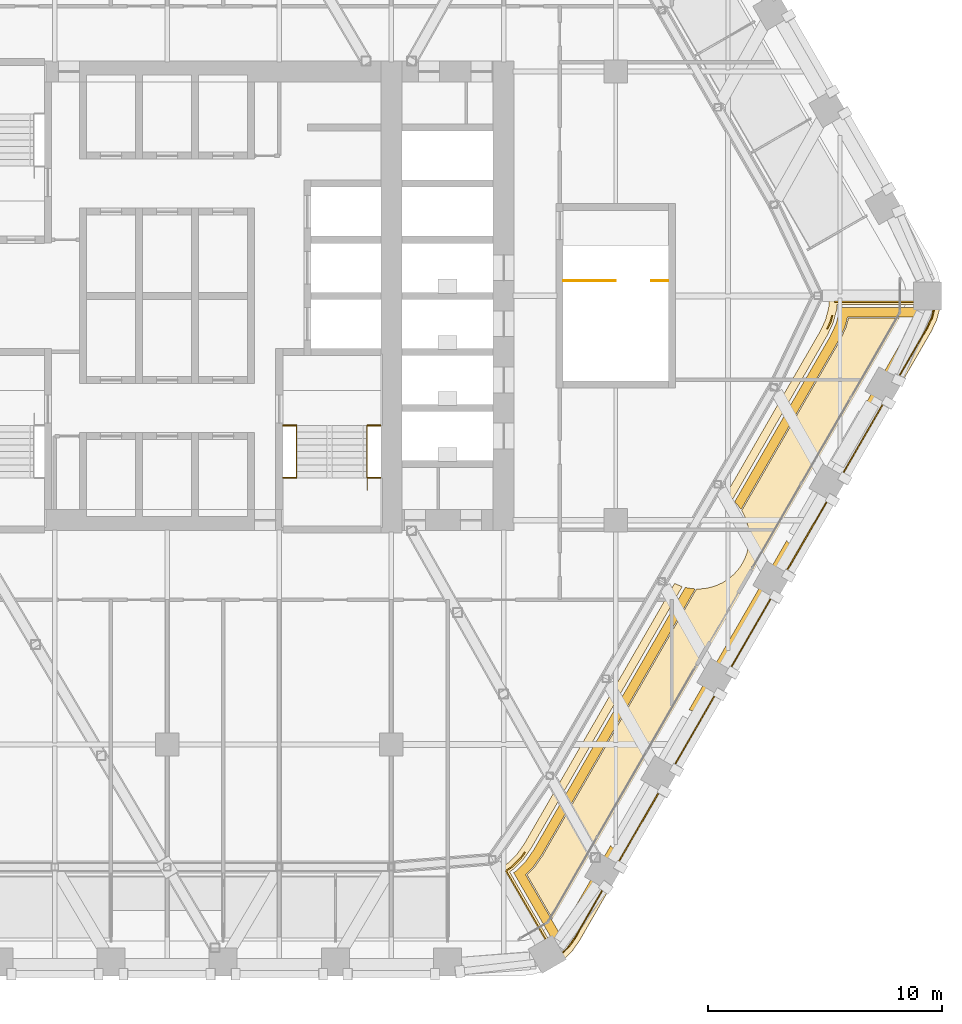
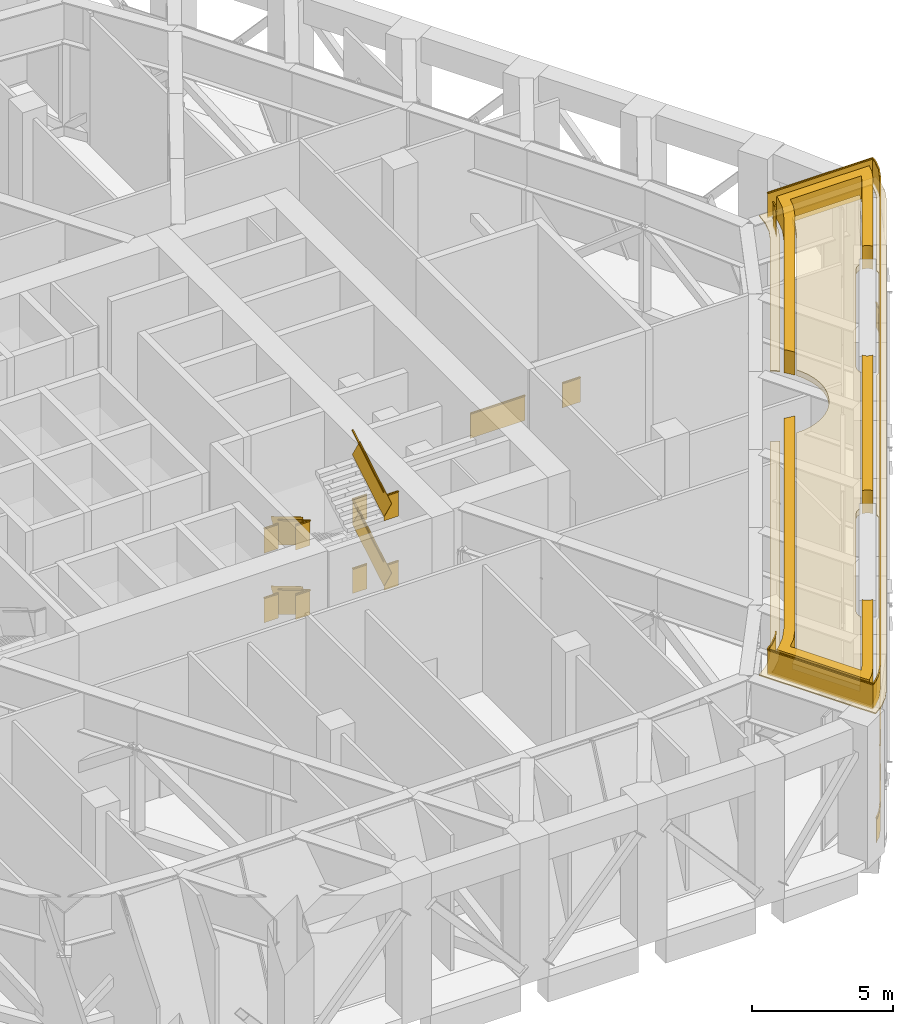
# One storey, part 26 of 27: 5 coverings, 5 railings.
"""IFC4 building model written with IfcOpenShell, lengths in metres."""

from ifc_helpers import new_model, si_unit, direction, frame, frame_2d, origin, origin_2d, place, context, subcontext, project, spatial, polyline, rectangle, outline, extrude, material, layer, layer_set, type_object, element, save


model = new_model("IFC4")

# Units and contexts
model_context = context("Model", 3, precision=1e-05, world=origin(), true_north=direction((0.0, 1.0)))
body_context = subcontext(model_context, "Body", "Model", "MODEL_VIEW")
ifc_project = project(units=[si_unit("LENGTHUNIT", "METRE"), si_unit("AREAUNIT", "SQUARE_METRE"), si_unit("VOLUMEUNIT", "CUBIC_METRE"), si_unit("PLANEANGLEUNIT", "RADIAN"), si_unit("MASSUNIT", "GRAM", prefix="KILO")], contexts=[model_context])

# Site, building, storey
site_placement = place(None, origin())
site = spatial("IfcSite", under=ifc_project, at=site_placement, CompositionType="ELEMENT")
building_placement = place(site_placement, origin())
building = spatial("IfcBuilding", under=site, at=building_placement, Name="Kolab Exchange Tower", CompositionType="ELEMENT")
storey_placement = place(building_placement, frame((0.0, 0.0, 127.39990234375)))
storey = spatial("IfcBuildingStorey", under=building, at=storey_placement, Name="L25", CompositionType="ELEMENT", Elevation=127.39990234375)

# Railings
ifc_material_1 = material(Name="Stainless steel 316", Category="steel")
railing_type_1 = type_object("IfcRailingType", Name="GUARD 1100", PredefinedType="GUARDRAIL", material=ifc_material_1)
railing_1_placement = place(storey_placement, frame((4.949951171875, -5.550048828125, 0.0)))
element("IfcRailing", 1, at=railing_1_placement, inside=storey, type_object=railing_type_1, Name="Guard ST2", PredefinedType="GUARDRAIL", context=body_context, shape_type="SweptSolid", body=[
    extrude(rectangle(XDim=0.05, YDim=0.05, at=origin_2d()), frame((0.0, 0.0, 1.0751953125), z_axis=(1.0, 0.0, 0.0), x_axis=(0.0, 1.0, 0.0)), (0.0, 0.0, 1.0), 0.590087890625),
    extrude(rectangle(XDim=0.012, YDim=1.05009765625, at=frame_2d((0.0, 0.525146484375))), frame((0.0, 0.0, 0.0), z_axis=(1.0, 0.0, 0.0), x_axis=(0.0, 1.0, 0.0)), (0.0, 0.0, 1.0), 0.590087890625),
    extrude(rectangle(XDim=0.05, YDim=0.05, at=origin_2d()), frame((3.610107421875, 0.0, 1.0751953125), z_axis=(1.0, 0.0, 0.0), x_axis=(0.0, 1.0, 0.0)), (0.0, 0.0, 1.0), 0.58984375),
    extrude(rectangle(XDim=0.012, YDim=1.05009765625, at=frame_2d((0.0, 0.525146484375))), frame((3.610107421875, 0.0, 0.0), z_axis=(1.0, 0.0, 0.0), x_axis=(0.0, 1.0, 0.0)), (0.0, 0.0, 1.0), 0.58984375),
    extrude(rectangle(XDim=0.05, YDim=0.05, at=origin_2d()), frame((0.0, -2.239990234375, 2.5751953125), z_axis=(1.0, 0.0, 0.0), x_axis=(0.0, 1.0, 0.0)), (0.0, 0.0, 1.0), 0.590087890625),
    extrude(rectangle(XDim=0.012, YDim=1.05009765625, at=frame_2d((0.0, 0.525146484375))), frame((0.0, -2.239990234375, 1.5), z_axis=(1.0, 0.0, 0.0), x_axis=(0.0, 1.0, 0.0)), (0.0, 0.0, 1.0), 0.590087890625),
    extrude(rectangle(XDim=0.05, YDim=0.05, at=origin_2d()), frame((3.610107421875, -2.239990234375, 2.5751953125), z_axis=(1.0, 0.0, 0.0), x_axis=(0.0, 1.0, 0.0)), (0.0, 0.0, 1.0), 0.58984375),
    extrude(rectangle(XDim=0.012, YDim=1.05009765625, at=frame_2d((0.0, 0.525146484375))), frame((3.610107421875, -2.239990234375, 1.5), z_axis=(1.0, 0.0, 0.0), x_axis=(0.0, 1.0, 0.0)), (0.0, 0.0, 1.0), 0.58984375),
    extrude(rectangle(XDim=0.05, YDim=0.05, at=origin_2d()), frame((0.0, 0.0, 4.0751953125), z_axis=(1.0, 0.0, 0.0), x_axis=(0.0, 1.0, 0.0)), (0.0, 0.0, 1.0), 0.590087890625),
    extrude(rectangle(XDim=0.012, YDim=1.05009765625, at=frame_2d((0.0, 0.525146484375))), frame((0.0, 0.0, 3.0), z_axis=(1.0, 0.0, 0.0), x_axis=(0.0, 1.0, 0.0)), (0.0, 0.0, 1.0), 0.590087890625),
    extrude(rectangle(XDim=0.05, YDim=0.05, at=origin_2d()), frame((3.610107421875, 0.0, 4.0751953125), z_axis=(1.0, 0.0, 0.0), x_axis=(0.0, 1.0, 0.0)), (0.0, 0.0, 1.0), 0.58984375),
    extrude(rectangle(XDim=0.012, YDim=1.05009765625, at=frame_2d((0.0, 0.525146484375))), frame((3.610107421875, 0.0, 3.0), z_axis=(1.0, 0.0, 0.0), x_axis=(0.0, 1.0, 0.0)), (0.0, 0.0, 1.0), 0.58984375),
    extrude(rectangle(XDim=0.05, YDim=0.05, at=origin_2d()), frame((0.0, -2.239990234375, 5.5751953125), z_axis=(1.0, 0.0, 0.0), x_axis=(0.0, 1.0, 0.0)), (0.0, 0.0, 1.0), 0.590087890625),
    extrude(rectangle(XDim=0.012, YDim=1.05009765625, at=frame_2d((0.0, 0.525146484375))), frame((0.0, -2.239990234375, 4.5), z_axis=(1.0, 0.0, 0.0), x_axis=(0.0, 1.0, 0.0)), (0.0, 0.0, 1.0), 0.590087890625),
    extrude(rectangle(XDim=0.05, YDim=0.05, at=origin_2d()), frame((3.610107421875, -2.239990234375, 5.5751953125), z_axis=(1.0, 0.0, 0.0), x_axis=(0.0, 1.0, 0.0)), (0.0, 0.0, 1.0), 0.58984375),
    extrude(rectangle(XDim=0.012, YDim=1.05009765625, at=frame_2d((0.0, 0.525146484375))), frame((3.610107421875, -2.239990234375, 4.5), z_axis=(1.0, 0.0, 0.0), x_axis=(0.0, 1.0, 0.0)), (0.0, 0.0, 1.0), 0.58984375),
])
railing_2_placement = place(storey_placement, frame((5.5400390625, -5.550048828125, 0.166748046875)))
element("IfcRailing", 2, at=railing_2_placement, inside=storey, type_object=railing_type_1, Name="Handrail guard ST2", PredefinedType="GUARDRAIL", context=body_context, shape_type="SweptSolid", body=[
    extrude(rectangle(XDim=0.05, YDim=0.05, at=origin_2d()), frame((0.0, 0.0, 1.0751953125), z_axis=(0.0, -0.859305625298, 0.511462454469), x_axis=(1.0, 0.0, 0.0)), (0.0, 0.0, 1.0), 2.606689453125),
    extrude(rectangle(XDim=0.012, YDim=1.05009765625, at=frame_2d((0.0, 0.525146484375))), frame((0.0, 0.0, 0.0), z_axis=(0.0, -0.859305625298, 0.511462454469), x_axis=(1.0, 0.0, 0.0)), (0.0, 0.0, 1.0), 2.606689453125),
    extrude(rectangle(XDim=0.05, YDim=0.05, at=origin_2d()), frame((3.02001953125, -2.239990234375, 2.5751953125), z_axis=(0.0, 0.859305625298, 0.511462454469), x_axis=(-1.0, 0.0, 0.0)), (0.0, 0.0, 1.0), 2.606689453125),
    extrude(rectangle(XDim=0.012, YDim=1.05009765625, at=frame_2d((0.0, 0.525146484375))), frame((3.02001953125, -2.239990234375, 1.5), z_axis=(0.0, 0.859305625298, 0.511462454469), x_axis=(-1.0, 0.0, 0.0)), (0.0, 0.0, 1.0), 2.606689453125),
    extrude(rectangle(XDim=0.05, YDim=0.05, at=origin_2d()), frame((0.0, 0.0, 4.0751953125), z_axis=(0.0, -0.859305625298, 0.511462454469), x_axis=(1.0, 0.0, 0.0)), (0.0, 0.0, 1.0), 2.606689453125),
    extrude(rectangle(XDim=0.012, YDim=1.05009765625, at=frame_2d((0.0, 0.525146484375))), frame((0.0, 0.0, 3.0), z_axis=(0.0, -0.859305625298, 0.511462454469), x_axis=(1.0, 0.0, 0.0)), (0.0, 0.0, 1.0), 2.606689453125),
    extrude(rectangle(XDim=0.05, YDim=0.05, at=origin_2d()), frame((3.02001953125, -2.239990234375, 5.5751953125), z_axis=(0.0, 0.859305625298, 0.511462454469), x_axis=(-1.0, 0.0, 0.0)), (0.0, 0.0, 1.0), 2.606689453125),
    extrude(rectangle(XDim=0.012, YDim=1.05009765625, at=frame_2d((0.0, 0.525146484375))), frame((3.02001953125, -2.239990234375, 4.5), z_axis=(0.0, 0.859305625298, 0.511462454469), x_axis=(-1.0, 0.0, 0.0)), (0.0, 0.0, 1.0), 2.606689453125),
])
railing_3_placement = place(storey_placement, frame((16.949951171875, 0.64990234375, 0.0)))
element("IfcRailing", 3, at=railing_3_placement, inside=storey, type_object=railing_type_1, Name="Guard ST4", PredefinedType="GUARDRAIL", context=body_context, shape_type="SweptSolid", body=[
    extrude(rectangle(XDim=0.05, YDim=0.05, at=origin_2d()), frame((0.0, 0.0, 1.0751953125), z_axis=(1.0, 0.0, 0.0), x_axis=(0.0, 1.0, 0.0)), (0.0, 0.0, 1.0), 2.239990234375),
    extrude(rectangle(XDim=0.012, YDim=1.05009765625, at=frame_2d((0.0, 0.525146484375))), frame((0.0, 0.0, 0.0), z_axis=(1.0, 0.0, 0.0), x_axis=(0.0, 1.0, 0.0)), (0.0, 0.0, 1.0), 2.239990234375),
    extrude(rectangle(XDim=0.05, YDim=0.05, at=origin_2d()), frame((3.760009765625, 0.0, 1.0751953125), z_axis=(1.0, 0.0, 0.0), x_axis=(0.0, 1.0, 0.0)), (0.0, 0.0, 1.0), 0.739990234375),
    extrude(rectangle(XDim=0.012, YDim=1.05009765625, at=frame_2d((0.0, 0.525146484375))), frame((3.760009765625, 0.0, 0.0), z_axis=(1.0, 0.0, 0.0), x_axis=(0.0, 1.0, 0.0)), (0.0, 0.0, 1.0), 0.739990234375),
])
ifc_material_2 = material(Name="Steel S235", Category="steel")
railing_type_2 = type_object("IfcRailingType", Name="GUARD 1100 GLASS BALUSTRADE AND STEEL TOP RAIL", PredefinedType="GUARDRAIL", material=ifc_material_2)
railing_4_placement = place(storey_placement, frame((16.9208984375, -28.119873046875, 0.0)))
element("IfcRailing", 4, at=railing_4_placement, inside=storey, type_object=railing_type_2, Name="Guard", PredefinedType="GUARDRAIL", context=body_context, shape_type="SweptSolid", body=[
    extrude(rectangle(XDim=0.05, YDim=0.05, at=origin_2d()), frame((0.0, 0.0, 1.0751953125), z_axis=(0.707106781187, 0.707106781187, 0.0), x_axis=(-0.707106781187, 0.707106781187, 0.0)), (0.0, 0.0, 1.0), 0.358642578125),
    extrude(rectangle(XDim=0.012, YDim=1.05009765625, at=frame_2d((0.0, 0.525146484375))), frame((0.0, 0.0, 0.0), z_axis=(0.707106781187, 0.707106781187, 0.0), x_axis=(-0.707106781187, 0.707106781187, 0.0)), (0.0, 0.0, 1.0), 0.358642578125),
    extrude(rectangle(XDim=0.05, YDim=0.05, at=origin_2d()), frame((0.253662109375, 0.253662109375, 1.0751953125), z_axis=(0.573359816273, 0.819303680624, 0.0), x_axis=(-0.819303680624, 0.573359816273, 0.0)), (0.0, 0.0, 1.0), 0.4794921875),
    extrude(rectangle(XDim=0.012, YDim=1.05009765625, at=frame_2d((0.0, 0.525146484375))), frame((0.253662109375, 0.253662109375, 0.0), z_axis=(0.573359816273, 0.819303680624, 0.0), x_axis=(-0.819303680624, 0.573359816273, 0.0)), (0.0, 0.0, 1.0), 0.4794921875),
    extrude(rectangle(XDim=0.05, YDim=0.05, at=origin_2d()), frame((0.528564453125, 0.646484375, 1.0751953125), z_axis=(0.500064973171, 0.865987888257, 0.0), x_axis=(-0.865987888257, 0.500064973171, 0.0)), (0.0, 0.0, 1.0), 2.468017578125),
    extrude(rectangle(XDim=0.012, YDim=1.05009765625, at=frame_2d((0.0, 0.525146484375))), frame((0.528564453125, 0.646484375, 0.0), z_axis=(0.500064973171, 0.865987888257, 0.0), x_axis=(-0.865987888257, 0.500064973171, 0.0)), (0.0, 0.0, 1.0), 2.468017578125),
    extrude(rectangle(XDim=0.05, YDim=0.05, at=origin_2d()), frame((2.362548828125, 3.822998046875, 1.0751953125), z_axis=(0.500012057535, 0.866018442252, 0.0), x_axis=(-0.866018442252, 0.500012057535, 0.0)), (0.0, 0.0, 1.0), 3.60009765625),
    extrude(rectangle(XDim=0.012, YDim=1.05009765625, at=frame_2d((0.0, 0.525146484375))), frame((2.362548828125, 3.822998046875, 0.0), z_axis=(0.500012057535, 0.866018442252, 0.0), x_axis=(-0.866018442252, 0.500012057535, 0.0)), (0.0, 0.0, 1.0), 3.60009765625),
    extrude(rectangle(XDim=0.05, YDim=0.05, at=origin_2d()), frame((4.7626953125, 7.97998046875, 1.0751953125), z_axis=(0.499961193289, 0.866047807691, 0.0), x_axis=(-0.866047807691, 0.499961193289, 0.0)), (0.0, 0.0, 1.0), 3.599853515625),
    extrude(rectangle(XDim=0.012, YDim=1.05009765625, at=frame_2d((0.0, 0.525146484375))), frame((4.7626953125, 7.97998046875, 0.0), z_axis=(0.499961193289, 0.866047807691, 0.0), x_axis=(-0.866047807691, 0.499961193289, 0.0)), (0.0, 0.0, 1.0), 3.599853515625),
    extrude(rectangle(XDim=0.05, YDim=0.05, at=origin_2d()), frame((7.16259765625, 12.13671875, 1.0751953125), z_axis=(0.500012057535, 0.866018442252, 0.0), x_axis=(-0.866018442252, 0.500012057535, 0.0)), (0.0, 0.0, 1.0), 3.60009765625),
    extrude(rectangle(XDim=0.012, YDim=1.05009765625, at=frame_2d((0.0, 0.525146484375))), frame((7.16259765625, 12.13671875, 0.0), z_axis=(0.500012057535, 0.866018442252, 0.0), x_axis=(-0.866018442252, 0.500012057535, 0.0)), (0.0, 0.0, 1.0), 3.60009765625),
    extrude(rectangle(XDim=0.05, YDim=0.05, at=origin_2d()), frame((9.5625, 16.293701171875, 1.0751953125), z_axis=(0.500012057535, 0.866018442252, 0.0), x_axis=(-0.866018442252, 0.500012057535, 0.0)), (0.0, 0.0, 1.0), 3.60009765625),
    extrude(rectangle(XDim=0.012, YDim=1.05009765625, at=frame_2d((0.0, 0.525146484375))), frame((9.5625, 16.293701171875, 0.0), z_axis=(0.500012057535, 0.866018442252, 0.0), x_axis=(-0.866018442252, 0.500012057535, 0.0)), (0.0, 0.0, 1.0), 3.60009765625),
    extrude(rectangle(XDim=0.05, YDim=0.05, at=origin_2d()), frame((11.962646484375, 20.45068359375, 1.0751953125), z_axis=(0.500012057535, 0.866018442252, 0.0), x_axis=(-0.866018442252, 0.500012057535, 0.0)), (0.0, 0.0, 1.0), 3.60009765625),
    extrude(rectangle(XDim=0.012, YDim=1.05009765625, at=frame_2d((0.0, 0.525146484375))), frame((11.962646484375, 20.45068359375, 0.0), z_axis=(0.500012057535, 0.866018442252, 0.0), x_axis=(-0.866018442252, 0.500012057535, 0.0)), (0.0, 0.0, 1.0), 3.60009765625),
    extrude(rectangle(XDim=0.05, YDim=0.05, at=origin_2d()), frame((14.362548828125, 24.607666015625, 1.0751953125), z_axis=(0.500064973171, 0.865987888257, 0.0), x_axis=(-0.865987888257, 0.500064973171, 0.0)), (0.0, 0.0, 1.0), 2.468017578125),
    extrude(rectangle(XDim=0.012, YDim=1.05009765625, at=frame_2d((0.0, 0.525146484375))), frame((14.362548828125, 24.607666015625, 0.0), z_axis=(0.500064973171, 0.865987888257, 0.0), x_axis=(-0.865987888257, 0.500064973171, 0.0)), (0.0, 0.0, 1.0), 2.468017578125),
    extrude(rectangle(XDim=0.05, YDim=0.05, at=origin_2d()), frame((15.5966796875, 26.744873046875, 1.0751953125), z_axis=(0.422383329074, 0.906417300872, 0.0), x_axis=(-0.906417300872, 0.422383329074, 0.0)), (0.0, 0.0, 1.0), 0.479248046875),
    extrude(rectangle(XDim=0.012, YDim=1.05009765625, at=frame_2d((0.0, 0.525146484375))), frame((15.5966796875, 26.744873046875, 0.0), z_axis=(0.422383329074, 0.906417300872, 0.0), x_axis=(-0.906417300872, 0.422383329074, 0.0)), (0.0, 0.0, 1.0), 0.479248046875),
    extrude(rectangle(XDim=0.05, YDim=0.05, at=origin_2d()), frame((15.799072265625, 27.17919921875, 1.0751953125), z_axis=(0.259144041577, 0.965838685141, 0.0), x_axis=(-0.965838685141, 0.259144041577, 0.0)), (0.0, 0.0, 1.0), 0.35888671875),
    extrude(rectangle(XDim=0.012, YDim=1.05009765625, at=frame_2d((0.0, 0.525146484375))), frame((15.799072265625, 27.17919921875, 0.0), z_axis=(0.259144041577, 0.965838685141, 0.0), x_axis=(-0.965838685141, 0.259144041577, 0.0)), (0.0, 0.0, 1.0), 0.35888671875),
])
railing_5_placement = place(storey_placement, frame((17.455078125, -27.464111328125, 6.0)))
element("IfcRailing", 5, at=railing_5_placement, inside=storey, type_object=railing_type_2, Name="Ledge guard", PredefinedType="GUARDRAIL", context=body_context, shape_type="SweptSolid", body=[
    extrude(rectangle(XDim=0.05, YDim=0.05, at=origin_2d()), frame((10.792724609375, 26.045654296875, 1.0751953125), z_axis=(0.422806465979, 0.906220002166, 0.0), x_axis=(-0.906220002166, 0.422806465979, 0.0)), (0.0, 0.0, 1.0), 0.33837890625),
    extrude(rectangle(XDim=0.012, YDim=1.05009765625, at=frame_2d((0.0, 0.525146484375))), frame((10.792724609375, 26.045654296875, 0.0), z_axis=(0.422806465979, 0.906220002166, 0.0), x_axis=(-0.906220002166, 0.422806465979, 0.0)), (0.0, 0.0, 1.0), 0.33837890625),
    extrude(rectangle(XDim=0.05, YDim=0.05, at=origin_2d()), frame((10.935791015625, 26.352294921875, 1.0751953125), z_axis=(0.258577580787, 0.965990494112, 0.0), x_axis=(-0.965990494112, 0.258577580787, 0.0)), (0.0, 0.0, 1.0), 0.2822265625),
    extrude(rectangle(XDim=0.012, YDim=1.05009765625, at=frame_2d((0.0, 0.525146484375))), frame((10.935791015625, 26.352294921875, 0.0), z_axis=(0.258577580787, 0.965990494112, 0.0), x_axis=(-0.965990494112, 0.258577580787, 0.0)), (0.0, 0.0, 1.0), 0.2822265625),
    extrude(rectangle(XDim=0.05, YDim=0.05, at=origin_2d()), frame((11.10986328125, 27.214111328125, 1.0751953125), z_axis=(1.0, 0.0, 0.0), x_axis=(0.0, 1.0, 0.0)), (0.0, 0.0, 1.0), 4.298095703125),
    extrude(rectangle(XDim=0.012, YDim=1.05009765625, at=frame_2d((0.0, 0.525146484375))), frame((11.10986328125, 27.214111328125, 0.0), z_axis=(1.0, 0.0, 0.0), x_axis=(0.0, 1.0, 0.0)), (0.0, 0.0, 1.0), 4.298095703125),
    extrude(rectangle(XDim=0.05, YDim=0.05, at=origin_2d()), frame((15.407958984375, 27.214111328125, 1.0751953125), z_axis=(-0.086675791965, -0.996236571848, 0.0), x_axis=(0.996236571848, -0.086675791965, 0.0)), (0.0, 0.0, 1.0), 0.228271484375),
    extrude(rectangle(XDim=0.012, YDim=1.05009765625, at=frame_2d((0.0, 0.525146484375))), frame((15.407958984375, 27.214111328125, 0.0), z_axis=(-0.086675791965, -0.996236571848, 0.0), x_axis=(0.996236571848, -0.086675791965, 0.0)), (0.0, 0.0, 1.0), 0.228271484375),
    extrude(rectangle(XDim=0.05, YDim=0.05, at=origin_2d()), frame((15.38818359375, 26.98681640625, 1.0751953125), z_axis=(-0.258803991931, -0.965929859648, 0.0), x_axis=(0.965929859648, -0.258803991931, 0.0)), (0.0, 0.0, 1.0), 0.479248046875),
    extrude(rectangle(XDim=0.012, YDim=1.05009765625, at=frame_2d((0.0, 0.525146484375))), frame((15.38818359375, 26.98681640625, 0.0), z_axis=(-0.258803991931, -0.965929859648, 0.0), x_axis=(0.965929859648, -0.258803991931, 0.0)), (0.0, 0.0, 1.0), 0.479248046875),
    extrude(rectangle(XDim=0.05, YDim=0.05, at=origin_2d()), frame((15.26416015625, 26.52392578125, 1.0751953125), z_axis=(-0.422749163714, -0.906246734934, 0.0), x_axis=(0.906246734934, -0.422749163714, 0.0)), (0.0, 0.0, 1.0), 0.490234375),
    extrude(rectangle(XDim=0.012, YDim=1.05009765625, at=frame_2d((0.0, 0.525146484375))), frame((15.26416015625, 26.52392578125, 0.0), z_axis=(-0.422749163714, -0.906246734934, 0.0), x_axis=(0.906246734934, -0.422749163714, 0.0)), (0.0, 0.0, 1.0), 0.490234375),
    extrude(rectangle(XDim=0.05, YDim=0.05, at=origin_2d()), frame((15.056884765625, 26.07958984375, 1.0751953125), z_axis=(-0.499995680138, -0.866027897844, 0.0), x_axis=(0.866027897844, -0.499995680138, 0.0)), (0.0, 0.0, 1.0), 30.114013671875),
    extrude(rectangle(XDim=0.012, YDim=1.05009765625, at=frame_2d((0.0, 0.525146484375))), frame((15.056884765625, 26.07958984375, 0.0), z_axis=(-0.499995680138, -0.866027897844, 0.0), x_axis=(0.866027897844, -0.499995680138, 0.0)), (0.0, 0.0, 1.0), 30.114013671875),
    extrude(rectangle(XDim=0.05, YDim=0.05, at=origin_2d()), frame((0.0, 0.0, 1.0751953125), z_axis=(-0.573863466501, -0.818950988653, 0.0), x_axis=(0.818950988653, -0.573863466501, 0.0)), (0.0, 0.0, 1.0), 0.489990234375),
    extrude(rectangle(XDim=0.012, YDim=1.05009765625, at=frame_2d((0.0, 0.525146484375))), frame((0.0, 0.0, 0.0), z_axis=(-0.573863466501, -0.818950988653, 0.0), x_axis=(0.818950988653, -0.573863466501, 0.0)), (0.0, 0.0, 1.0), 0.489990234375),
    extrude(rectangle(XDim=0.05, YDim=0.05, at=origin_2d()), frame((-0.28125, -0.4013671875, 1.0751953125), z_axis=(-0.707106781187, -0.707106781187, 0.0), x_axis=(0.707106781187, -0.707106781187, 0.0)), (0.0, 0.0, 1.0), 0.479248046875),
    extrude(rectangle(XDim=0.012, YDim=1.05009765625, at=frame_2d((0.0, 0.525146484375))), frame((-0.28125, -0.4013671875, 0.0), z_axis=(-0.707106781187, -0.707106781187, 0.0), x_axis=(0.707106781187, -0.707106781187, 0.0)), (0.0, 0.0, 1.0), 0.479248046875),
    extrude(rectangle(XDim=0.05, YDim=0.05, at=origin_2d()), frame((-0.6201171875, -0.740234375, 1.0751953125), z_axis=(-0.819332409574, -0.573318761791, 0.0), x_axis=(0.573318761791, -0.819332409574, 0.0)), (0.0, 0.0, 1.0), 0.228271484375),
    extrude(rectangle(XDim=0.012, YDim=1.05009765625, at=frame_2d((0.0, 0.525146484375))), frame((-0.6201171875, -0.740234375, 0.0), z_axis=(-0.819332409574, -0.573318761791, 0.0), x_axis=(0.573318761791, -0.819332409574, 0.0)), (0.0, 0.0, 1.0), 0.228271484375),
    extrude(rectangle(XDim=0.05, YDim=0.05, at=origin_2d()), frame((-0.80712890625, -0.87109375, 1.0751953125), z_axis=(-0.499987977232, 0.866032345022, 0.0), x_axis=(-0.866032345022, -0.499987977232, 0.0)), (0.0, 0.0, 1.0), 4.2978515625),
    extrude(rectangle(XDim=0.012, YDim=1.05009765625, at=frame_2d((0.0, 0.525146484375))), frame((-0.80712890625, -0.87109375, 0.0), z_axis=(-0.499987977232, 0.866032345022, 0.0), x_axis=(-0.866032345022, -0.499987977232, 0.0)), (0.0, 0.0, 1.0), 4.2978515625),
    extrude(rectangle(XDim=0.05, YDim=0.05, at=origin_2d()), frame((-2.9560546875, 2.85107421875, 1.0751953125), z_axis=(0.818977516842, 0.573825606702, 0.0), x_axis=(-0.573825606702, 0.818977516842, 0.0)), (0.0, 0.0, 1.0), 0.315673828125),
    extrude(rectangle(XDim=0.012, YDim=1.05009765625, at=frame_2d((0.0, 0.525146484375))), frame((-2.9560546875, 2.85107421875, 0.0), z_axis=(0.818977516842, 0.573825606702, 0.0), x_axis=(-0.573825606702, 0.818977516842, 0.0)), (0.0, 0.0, 1.0), 0.315673828125),
    extrude(rectangle(XDim=0.05, YDim=0.05, at=origin_2d()), frame((-2.697509765625, 3.0322265625, 1.0751953125), z_axis=(0.707322132711, 0.706891364056, 0.0), x_axis=(-0.706891364056, 0.707322132711, 0.0)), (0.0, 0.0, 1.0), 0.566650390625),
    extrude(rectangle(XDim=0.012, YDim=1.05009765625, at=frame_2d((0.0, 0.525146484375))), frame((-2.697509765625, 3.0322265625, 0.0), z_axis=(0.707322132711, 0.706891364056, 0.0), x_axis=(-0.706891364056, 0.707322132711, 0.0)), (0.0, 0.0, 1.0), 0.566650390625),
    extrude(rectangle(XDim=0.05, YDim=0.05, at=origin_2d()), frame((-2.296630859375, 3.432861328125, 1.0751953125), z_axis=(0.573161780515, 0.819442233081, 0.0), x_axis=(-0.819442233081, 0.573161780515, 0.0)), (0.0, 0.0, 1.0), 0.272705078125),
    extrude(rectangle(XDim=0.012, YDim=1.05009765625, at=frame_2d((0.0, 0.525146484375))), frame((-2.296630859375, 3.432861328125, 0.0), z_axis=(0.573161780515, 0.819442233081, 0.0), x_axis=(-0.819442233081, 0.573161780515, 0.0)), (0.0, 0.0, 1.0), 0.272705078125),
])

# Coverings
ifc_material_3 = material(Name="Planting soil and turf", Category="soil")
ifc_layer_1 = layer(ifc_material_3, 0.25)
ifc_layer_set_1 = layer_set([ifc_layer_1], Name="Planting soil and turf")
covering_type_1 = type_object("IfcCoveringType", Name="PLANTING SOIL AND TURF 250", PredefinedType="USERDEFINED", material=ifc_layer_set_1)
covering_1_placement = place(storey_placement, frame((0.0, 0.0, 6.0)))
element("IfcCovering", 6, at=covering_1_placement, inside=storey, type_object=covering_type_1, Name="Planting soil and turf", ObjectType="PLANTING", PredefinedType="USERDEFINED", context=body_context, shape_type="SweptSolid", body=[
    extrude(outline(polyline([(15.696533203125, -24.48291015625), (16.068115234375, -23.952392578125), (22.6572265625, -12.53955078125), (22.71337890625, -12.542236328125), (22.928955078125, -12.53173828125), (23.142578125, -12.5), (23.35205078125, -12.447509765625), (23.555419921875, -12.374755859375), (23.75048828125, -12.282470703125), (23.935546875, -12.171630859375), (24.109130859375, -12.04296875), (24.26904296875, -11.89794921875), (24.4140625, -11.738037109375), (24.542724609375, -11.564453125), (24.653564453125, -11.37939453125), (24.745849609375, -11.184326171875), (24.818603515625, -10.98095703125), (24.87109375, -10.771484375), (24.90283203125, -10.557861328125), (24.913330078125, -10.34228515625), (24.90283203125, -10.126708984375), (24.87109375, -9.9130859375), (24.818603515625, -9.70361328125), (24.745849609375, -9.50048828125), (24.653564453125, -9.30517578125), (24.587890625, -9.195556640625), (28.77734375, -1.93896484375), (29.051025390625, -1.352294921875), (29.158935546875, -0.949951171875), (31.942138671875, -0.949951171875), (31.890625, -1.06103515625), (29.80029296875, -4.681396484375), (29.795654296875, -4.681884765625), (29.75732421875, -4.690185546875), (29.719970703125, -4.7021484375), (29.683837890625, -4.7177734375), (29.649658203125, -4.73681640625), (29.6171875, -4.75927734375), (29.58740234375, -4.78466796875), (29.56005859375, -4.812744140625), (29.53564453125, -4.843505859375), (29.514404296875, -4.87646484375), (26.514404296875, -10.07275390625), (26.496337890625, -10.107666015625), (26.48193359375, -10.14404296875), (26.47119140625, -10.181884765625), (26.464111328125, -10.220458984375), (26.4609375, -10.259521484375), (26.461669921875, -10.298828125), (26.466064453125, -10.337890625), (26.474365234375, -10.376220703125), (26.486328125, -10.41357421875), (26.48828125, -10.41796875), (22.266357421875, -17.73046875), (22.26171875, -17.731201171875), (22.223388671875, -17.739501953125), (22.185791015625, -17.75146484375), (22.14990234375, -17.76708984375), (22.115478515625, -17.7861328125), (22.083251953125, -17.808349609375), (22.053466796875, -17.833740234375), (22.026123046875, -17.862060546875), (22.001708984375, -17.892822265625), (21.98046875, -17.92578125), (18.98046875, -23.121826171875), (18.96240234375, -23.15673828125), (18.947998046875, -23.193359375), (18.937255859375, -23.231201171875), (18.93017578125, -23.269775390625), (18.927001953125, -23.308837890625), (18.927734375, -23.34814453125), (18.93212890625, -23.386962890625), (18.9404296875, -23.425537109375), (18.952392578125, -23.462890625), (18.954345703125, -23.467041015625), (16.864013671875, -27.087646484375), (16.7939453125, -27.187744140625), (15.402099609375, -24.77734375), (15.696533203125, -24.48291015625)])), origin(), (0.0, 0.0, 1.0), 0.25),
])
ifc_material_4 = material(Name="Limestone coping", Category="masonry")
ifc_layer_2 = layer(ifc_material_4, 0.050048828125)
ifc_layer_set_2 = layer_set([ifc_layer_2], Name="Limestone coping")
covering_type_2 = type_object("IfcCoveringType", Name="TERRACE EDGE BAND LIMESTONE 50", PredefinedType="CLADDING", material=ifc_layer_set_2)
covering_2_placement = place(storey_placement, frame((0.0, 0.0, 6.0)))
element("IfcCovering", 7, at=covering_2_placement, inside=storey, type_object=covering_type_2, Name="Terrace edge band", PredefinedType="CLADDING", context=body_context, shape_type="SweptSolid", body=[
    extrude(outline(polyline([(16.9833984375, -28.381103515625), (16.574462890625, -28.667724609375), (14.1943359375, -24.54541015625), (14.609130859375, -24.255126953125), (14.9814453125, -23.8828125), (15.282958984375, -23.452392578125), (21.719970703125, -12.30322265625), (21.87158203125, -12.374755859375), (22.04638671875, -12.4375), (15.578369140625, -23.640625), (15.25048828125, -24.108642578125), (14.8349609375, -24.524169921875), (14.657958984375, -24.648193359375), (16.6865234375, -28.161865234375), (16.757568359375, -28.112060546875), (17.08154296875, -27.7880859375), (17.353759765625, -27.3994140625), (19.499755859375, -23.682373046875), (19.503662109375, -23.6806640625), (19.5380859375, -23.66162109375), (19.5703125, -23.63916015625), (19.600341796875, -23.61376953125), (19.62744140625, -23.585693359375), (19.65185546875, -23.554931640625), (19.673095703125, -23.52197265625), (22.673095703125, -18.32568359375), (22.691162109375, -18.290771484375), (22.70556640625, -18.25439453125), (22.71630859375, -18.216552734375), (22.723388671875, -18.177978515625), (22.7265625, -18.138916015625), (22.725830078125, -18.099609375), (22.725341796875, -18.09521484375), (27.03369140625, -10.633056640625), (27.03759765625, -10.63134765625), (27.072021484375, -10.6123046875), (27.104248046875, -10.590087890625), (27.13427734375, -10.564697265625), (27.16162109375, -10.536376953125), (27.185791015625, -10.505615234375), (27.207275390625, -10.47265625), (30.207275390625, -5.276611328125), (30.22509765625, -5.24169921875), (30.239501953125, -5.205078125), (30.250244140625, -5.16748046875), (30.25732421875, -5.128662109375), (30.260498046875, -5.089599609375), (30.260009765625, -5.05029296875), (30.259521484375, -5.046142578125), (32.405517578125, -1.3291015625), (32.60595703125, -0.89892578125), (32.724609375, -0.45654296875), (32.732177734375, -0.3701171875), (28.675048828125, -0.3701171875), (28.656005859375, -0.58544921875), (28.50390625, -1.153076171875), (28.262451171875, -1.6708984375), (24.193603515625, -8.71826171875), (24.109130859375, -8.6416015625), (23.935546875, -8.51318359375), (23.9150390625, -8.500732421875), (27.95166015625, -1.50927734375), (28.173828125, -1.032958984375), (28.31005859375, -0.5244140625), (28.354248046875, -0.02001953125), (33.114013671875, -0.02001953125), (33.070556640625, -0.517578125), (32.93603515625, -1.019287109375), (32.71630859375, -1.49072265625), (17.649169921875, -27.587646484375), (17.3505859375, -28.013916015625), (16.9833984375, -28.381103515625)])), origin(), (0.0, 0.0, 1.0), 0.050048828125),
])
ifc_material_5 = material(Name="Terrace hedge planting", Category="soil")
ifc_layer_3 = layer(ifc_material_5, 1.0)
ifc_layer_set_3 = layer_set([ifc_layer_3], Name="Terrace hedge planting")
covering_type_3 = type_object("IfcCoveringType", Name="TERRACE HEDGE 1000 X 400", PredefinedType="USERDEFINED", material=ifc_layer_set_3)
covering_3_placement = place(storey_placement, frame((0.0, 0.0, 6.0)))
element("IfcCovering", 8, at=covering_3_placement, inside=storey, type_object=covering_type_3, Name="Terrace hedge", ObjectType="PLANTING", PredefinedType="USERDEFINED", context=body_context, shape_type="SweptSolid", body=[
    extrude(outline(polyline([(14.9189453125, -24.624267578125), (15.3505859375, -24.192626953125), (15.688232421875, -23.71044921875), (22.176025390625, -12.472900390625), (22.2841796875, -12.5), (22.497802734375, -12.53173828125), (22.60107421875, -12.536865234375), (16.02587890625, -23.925537109375), (15.658203125, -24.45068359375), (15.339599609375, -24.76904296875), (16.789794921875, -27.28076171875), (16.90625, -27.114501953125), (18.980712890625, -23.521484375), (18.987060546875, -23.533203125), (19.009521484375, -23.5654296875), (19.034912109375, -23.595458984375), (19.06298828125, -23.62255859375), (19.09375, -23.64697265625), (19.126708984375, -23.668212890625), (19.16162109375, -23.686279296875), (19.1982421875, -23.70068359375), (19.236083984375, -23.71142578125), (19.274658203125, -23.718505859375), (19.313720703125, -23.7216796875), (19.3271484375, -23.721435546875), (17.243896484375, -27.32958984375), (16.981689453125, -27.7041015625), (16.72216796875, -27.963623046875), (14.830078125, -24.686279296875), (14.9189453125, -24.624267578125)])), origin(), (0.0, 0.0, 1.0), 1.0),
])
covering_4_placement = place(storey_placement, frame((0.0, 0.0, 6.0)))
element("IfcCovering", 9, at=covering_4_placement, inside=storey, type_object=covering_type_3, Name="Terrace hedge", ObjectType="PLANTING", PredefinedType="USERDEFINED", context=body_context, shape_type="SweptSolid", body=[
    extrude(outline(polyline([(22.6728515625, -17.92626953125), (22.66650390625, -17.91455078125), (22.64404296875, -17.88232421875), (22.61865234375, -17.852294921875), (22.590576171875, -17.824951171875), (22.559814453125, -17.800537109375), (22.52685546875, -17.779296875), (22.491943359375, -17.761474609375), (22.455322265625, -17.7470703125), (22.417724609375, -17.736328125), (22.37890625, -17.729248046875), (22.33984375, -17.72607421875), (22.32666015625, -17.72607421875), (26.5146484375, -10.47216796875), (26.52099609375, -10.48388671875), (26.54345703125, -10.51611328125), (26.56884765625, -10.546142578125), (26.596923828125, -10.573486328125), (26.627685546875, -10.597900390625), (26.660888671875, -10.619140625), (26.69580078125, -10.636962890625), (26.732177734375, -10.6513671875), (26.77001953125, -10.662353515625), (26.80859375, -10.669189453125), (26.84765625, -10.67236328125), (26.861083984375, -10.67236328125), (22.6728515625, -17.92626953125)])), origin(), (0.0, 0.0, 1.0), 1.0),
])
covering_5_placement = place(storey_placement, frame((0.0, 0.0, 6.0)))
element("IfcCovering", 10, at=covering_5_placement, inside=storey, type_object=covering_type_3, Name="Terrace hedge", ObjectType="PLANTING", PredefinedType="USERDEFINED", context=body_context, shape_type="SweptSolid", body=[
    extrude(outline(polyline([(28.3779296875, -1.731201171875), (28.626708984375, -1.19775390625), (28.78466796875, -0.608154296875), (28.7939453125, -0.5), (32.578369140625, -0.5), (32.4833984375, -0.8544921875), (32.2900390625, -1.268798828125), (30.20703125, -4.876953125), (30.200439453125, -4.865234375), (30.17822265625, -4.8330078125), (30.15283203125, -4.802978515625), (30.12451171875, -4.77587890625), (30.09375, -4.75146484375), (30.060791015625, -4.730224609375), (30.02587890625, -4.712158203125), (29.9892578125, -4.69775390625), (29.95166015625, -4.68701171875), (29.9130859375, -4.679931640625), (29.873779296875, -4.6767578125), (29.860595703125, -4.677001953125), (31.934814453125, -1.083984375), (32.020751953125, -0.89990234375), (29.12060546875, -0.89990234375), (29.00390625, -1.3349609375), (28.733154296875, -1.916015625), (24.55859375, -9.146484375), (24.542724609375, -9.1201171875), (24.4140625, -8.946533203125), (24.29052734375, -8.810546875), (28.3779296875, -1.731201171875)])), origin(), (0.0, 0.0, 1.0), 1.0),
])

save(model, "model.ifc")
